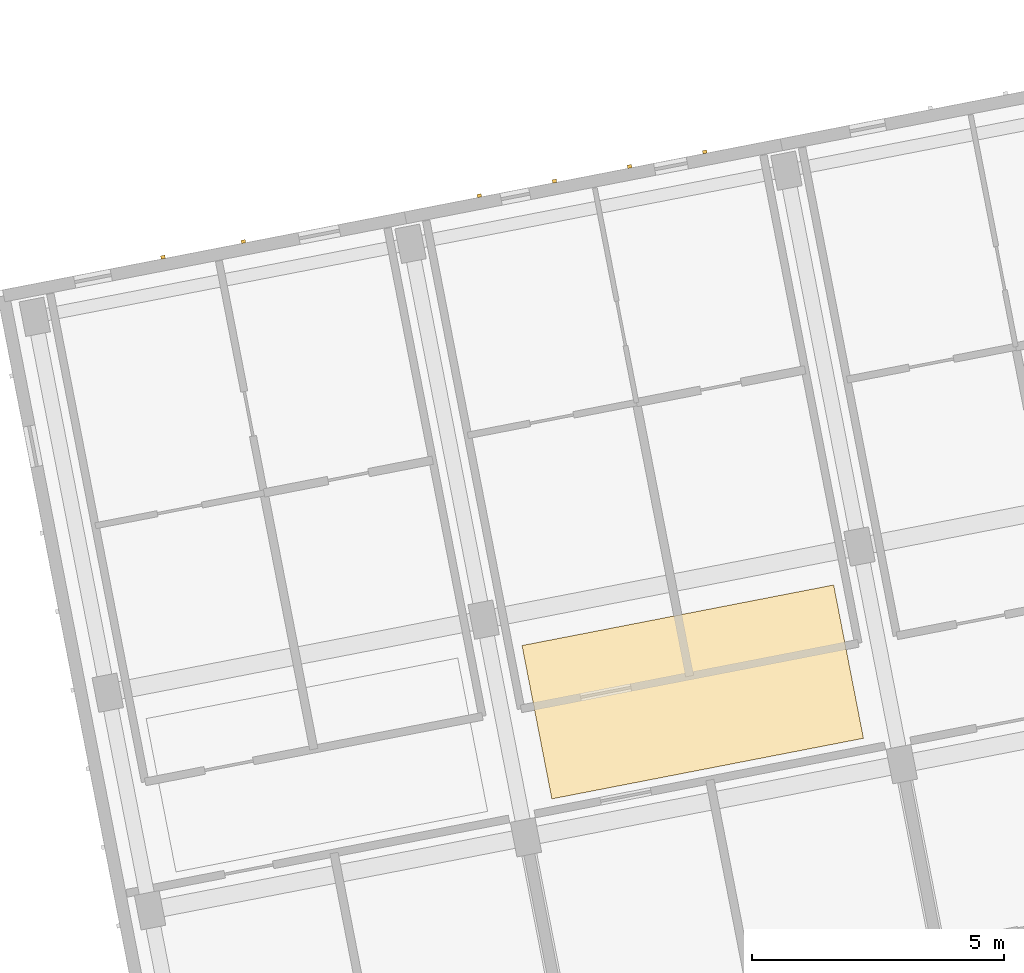
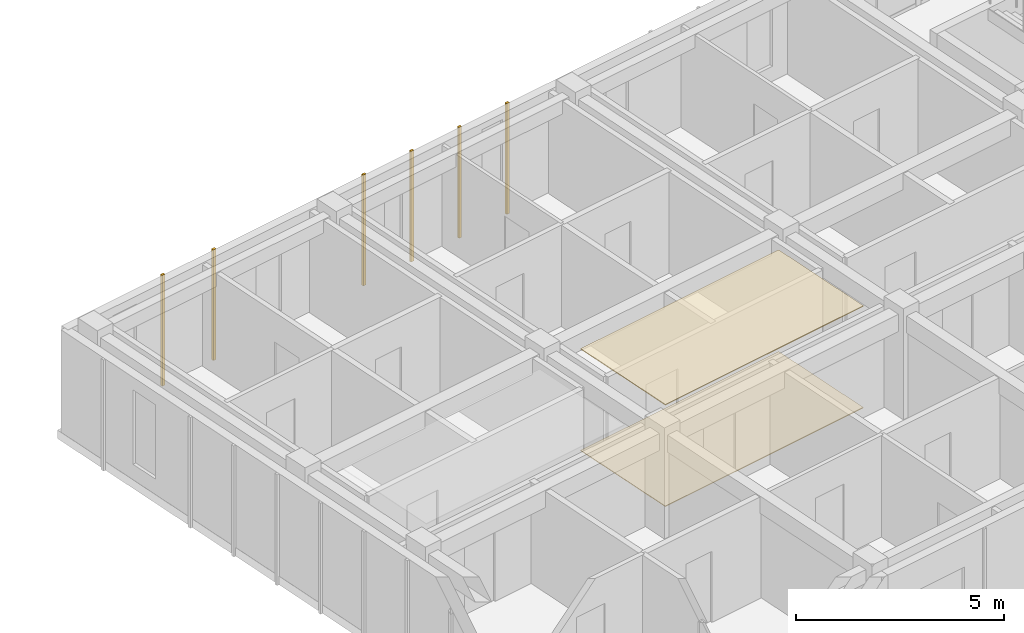
# One storey, part 53 of 74: 8 coverings.
"""IFC4 building model written with IfcOpenShell, lengths in metres."""

from ifc_helpers import new_model, si_unit, direction, frame, origin, origin_2d, place, context, subcontext, project, spatial, polyline, rectangle, outline, extrude, material, layer, layer_set, type_object, element, save


model = new_model("IFC4")

# Units and contexts
model_context = context("Model", 3, precision=1e-05, world=origin(), true_north=direction((0.0, 1.0)))
body_context = subcontext(model_context, "Body", "Model", "MODEL_VIEW")
ifc_project = project(units=[si_unit("LENGTHUNIT", "METRE"), si_unit("AREAUNIT", "SQUARE_METRE"), si_unit("VOLUMEUNIT", "CUBIC_METRE"), si_unit("PLANEANGLEUNIT", "RADIAN"), si_unit("MASSUNIT", "GRAM", prefix="KILO")], contexts=[model_context])

# Site, building, storey
site_placement = place(None, origin())
site = spatial("IfcSite", under=ifc_project, at=site_placement, CompositionType="ELEMENT")
building_placement = place(site_placement, origin())
building = spatial("IfcBuilding", under=site, at=building_placement, Name="Kestramere Prow Commons", CompositionType="ELEMENT")
storey_placement = place(building_placement, frame((0.0, 0.0, 11.64990234375)))
storey = spatial("IfcBuildingStorey", under=building, at=storey_placement, Name="L03", CompositionType="ELEMENT", Elevation=11.64990234375)

# Coverings
ifc_material_1 = material(Name="Mineral Fibre Acoustic Ceiling Tile")
ifc_layer_1 = layer(ifc_material_1, 0.02490234375)
ifc_layer_set_1 = layer_set([ifc_layer_1], Name="Mineral Fibre Acoustic Ceiling Tile")
covering_type_1 = type_object("IfcCoveringType", Name="COV-CEIL-ACOUSTIC", PredefinedType="CEILING", material=ifc_layer_set_1)
covering_1_placement = place(storey_placement, frame((0.0, 0.0, 2.97509765625)))
element("IfcCovering", 1, at=covering_1_placement, inside=storey, type_object=covering_type_1, Name="Block D L03 Corridor Acoustic Ceiling 2", PredefinedType="CEILING", context=body_context, shape_type="SweptSolid", body=[
    extrude(outline(polyline([(124.92431640625, 43.672607421875), (131.1083984375, 44.874755859375), (130.51708984375, 47.917724609375), (124.332763671875, 46.715576171875), (124.92431640625, 43.672607421875)])), origin(), (0.0, 0.0, 1.0), 0.02490234375),
])
ifc_material_2 = material(Name="Weathered Zinc-Titanium Standing-Seam Cladding")
ifc_layer_2 = layer(ifc_material_2, 0.074951171875)
ifc_layer_set_2 = layer_set([ifc_layer_2], Name="Weathered Zinc-Titanium Standing-Seam Cladding")
covering_type_2 = type_object("IfcCoveringType", Name="COV-CLAD-SEAM", PredefinedType="CLADDING", material=ifc_layer_set_2)
for number, where, z_axis, x_axis, name in (
    (2, (117.205810546875, 54.4248046875, -0.25), (0.0, 0.0, 1.0), (0.981627183448, 0.190808995377, 0.0), "EW-D-L03-N-0 Standing-Seam Rib 2"),
    (3, (118.801025390625, 54.73486328125, -0.25), (0.0, 0.0, 1.0), (0.981627183448, 0.190808995377, 0.0), "EW-D-L03-N-0 Standing-Seam Rib 3"),
    (4, (123.4833984375, 55.64501953125, -0.25), (0.0, 0.0, 1.0), (0.981627183448, 0.190808995377, 0.0), "EW-D-L03-N-1 Standing-Seam Rib 1"),
    (5, (124.975341796875, 55.93505859375, -0.25), (0.0, 0.0, 1.0), (0.981627183448, 0.190808995377, 0.0), "EW-D-L03-N-1 Standing-Seam Rib 2"),
    (6, (126.467529296875, 56.22509765625, -0.25), (0.0, 0.0, 1.0), (0.981627183448, 0.190808995377, 0.0), "EW-D-L03-N-1 Standing-Seam Rib 3"),
    (7, (127.95947265625, 56.51513671875, -0.25), (0.0, 0.0, 1.0), (0.981627183448, 0.190808995377, 0.0), "EW-D-L03-N-1 Standing-Seam Rib 4"),
):
    element("IfcCovering", number, at=place(storey_placement, frame(where, z_axis=z_axis, x_axis=x_axis)), inside=storey, type_object=covering_type_2, Name=name, PredefinedType="CLADDING", context=body_context, shape_type="SweptSolid", body=[
        extrude(rectangle(XDim=0.0849609375, YDim=0.06494140625, at=origin_2d()), origin(), (0.0, 0.0, 1.0), 3.25),
    ])
ifc_material_3 = material(Name="Honed Cementitious Terrazzo Tile")
ifc_layer_3 = layer(ifc_material_3, 0.02001953125)
ifc_layer_set_3 = layer_set([ifc_layer_3], Name="Honed Cementitious Terrazzo Tile")
covering_type_3 = type_object("IfcCoveringType", Name="COV-FLOOR-TERRAZZO", PredefinedType="FLOORING", material=ifc_layer_set_3)
covering_2_placement = place(storey_placement, origin())
element("IfcCovering", 8, at=covering_2_placement, inside=storey, type_object=covering_type_3, Name="Block D L03 Corridor Terrazzo Flooring 2", PredefinedType="FLOORING", context=body_context, shape_type="SweptSolid", body=[
    extrude(outline(polyline([(124.92431640625, 43.672607421875), (131.1083984375, 44.874755859375), (130.51708984375, 47.917724609375), (124.332763671875, 46.715576171875), (124.92431640625, 43.672607421875)])), origin(), (0.0, 0.0, 1.0), 0.02001953125),
])

save(model, "model.ifc")
